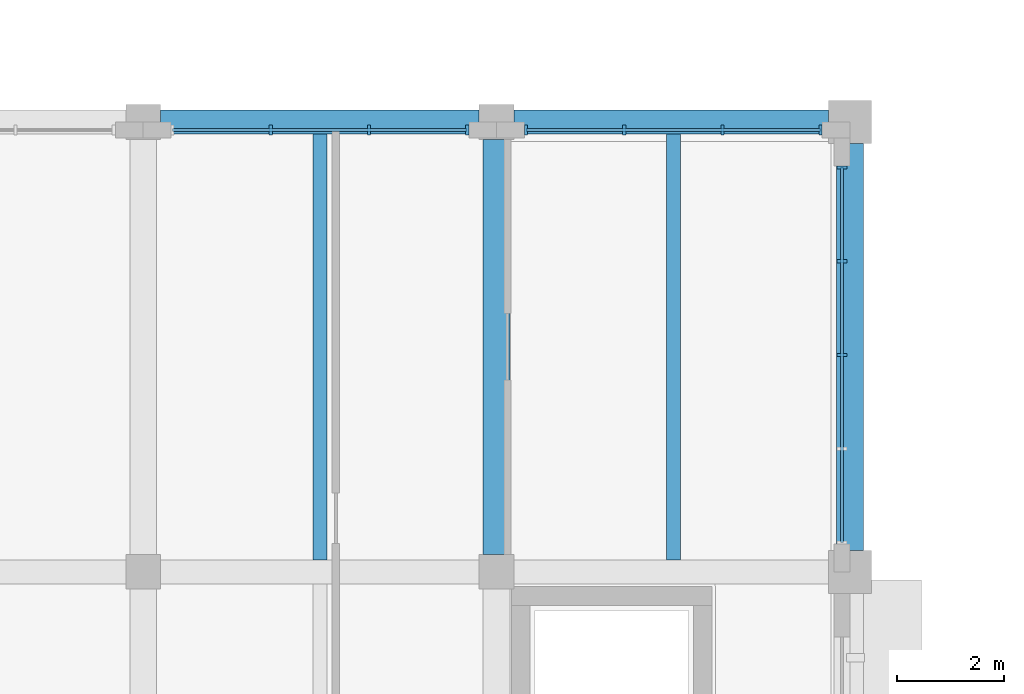
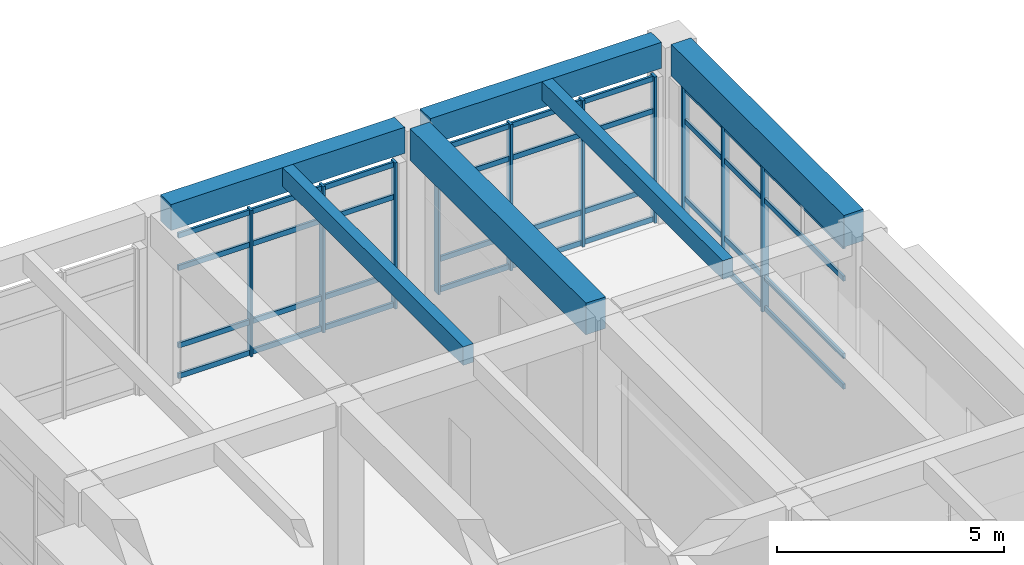
# One storey, part 32 of 79: 22 members, 6 beams, 3 elements without a shape of their own.
"""IFC4 building model written with IfcOpenShell, lengths in metres."""

from ifc_helpers import new_model, si_unit, direction, frame, origin, origin_2d, place, context, subcontext, project, spatial, rectangle, extrude, material, layer, layer_set, material_profile, profile_set, type_object, element, aggregate, save


model = new_model("IFC4")

# Units and contexts
model_context = context("Model", 3, precision=1e-05, world=origin(), true_north=direction((0.0, 1.0)))
body_context = subcontext(model_context, "Body", "Model", "MODEL_VIEW")
ifc_project = project(units=[si_unit("LENGTHUNIT", "METRE"), si_unit("AREAUNIT", "SQUARE_METRE"), si_unit("VOLUMEUNIT", "CUBIC_METRE"), si_unit("PLANEANGLEUNIT", "RADIAN"), si_unit("MASSUNIT", "GRAM", prefix="KILO")], contexts=[model_context])

# Site, building, storey
site_placement = place(None, origin())
site = spatial("IfcSite", under=ifc_project, at=site_placement, CompositionType="ELEMENT")
building_placement = place(site_placement, origin())
building = spatial("IfcBuilding", under=site, at=building_placement, Name="Kolvaren Faculty of Natural Sciences", CompositionType="ELEMENT")
storey_placement = place(building_placement, frame((0.0, 0.0, 10.199951171875)))
storey = spatial("IfcBuildingStorey", under=building, at=storey_placement, Name="L02", CompositionType="ELEMENT", Elevation=10.199951171875)

# Curtain wall, members
ifc_material_1 = material(Name="Thermally broken anodised aluminium framing", Category="aluminium")
ifc_layer_1 = layer(ifc_material_1, 0.179931640625)
ifc_layer_set_1 = layer_set([ifc_layer_1], Name="Thermally broken anodised aluminium framing")
curtain_wall_type_1 = type_object("IfcCurtainWallType", Name="CommonsCurtainWall_CW02", PredefinedType="NOTDEFINED", material=ifc_layer_set_1)
curtain_wall_1_placement = place(storey_placement, origin())
curtain_wall_1 = element("IfcCurtainWall", 1, at=curtain_wall_1_placement, inside=storey, type_object=curtain_wall_type_1, Name="L02 unitised curtain wall CW-02 (CW-L02-093)", PredefinedType="NOTDEFINED")
ifc_material_profile_1 = material_profile(ifc_material_1, rectangle(XDim=0.06005859375, YDim=0.179931640625, at=origin_2d()), Name="ALU MUL 60x180")
ifc_profile_set_1 = profile_set([ifc_material_profile_1], Name="Thermally broken anodised aluminium framing")
member_type_1 = type_object("IfcMemberType", Name="CurtainMullion_60x180", PredefinedType="MULLION", material=ifc_profile_set_1)
member_1_placement = place(storey_placement, frame((127.9833984375, 109.25, 0.0), z_axis=(0.0, 0.0, 1.0), x_axis=(1.0, 0.0, 0.0)))
member_1 = element("IfcMember", 2, at=member_1_placement, type_object=member_type_1, Name="CW-L02-093 vertical mullion 2", PredefinedType="MULLION", context=body_context, shape_type="SweptSolid", body=[
    extrude(rectangle(XDim=0.06005859375, YDim=0.179931640625, at=origin_2d()), origin(), (0.0, 0.0, 1.0), 3.93505859375),
])
member_2_placement = place(storey_placement, frame((129.816650390625, 109.25, 0.0), z_axis=(0.0, 0.0, 1.0), x_axis=(1.0, 0.0, 0.0)))
member_2 = element("IfcMember", 3, at=member_2_placement, type_object=member_type_1, Name="CW-L02-093 vertical mullion 3", PredefinedType="MULLION", context=body_context, shape_type="SweptSolid", body=[
    extrude(rectangle(XDim=0.06005859375, YDim=0.179931640625, at=origin_2d()), origin(), (0.0, 0.0, 1.0), 3.93505859375),
])
member_3_placement = place(storey_placement, frame((131.64990234375, 109.25, 0.0), z_axis=(0.0, 0.0, 1.0), x_axis=(1.0, 0.0, 0.0)))
member_3 = element("IfcMember", 4, at=member_3_placement, type_object=member_type_1, Name="CW-L02-093 vertical mullion 4", PredefinedType="MULLION", context=body_context, shape_type="SweptSolid", body=[
    extrude(rectangle(XDim=0.06005859375, YDim=0.179931640625, at=origin_2d()), origin(), (0.0, 0.0, 1.0), 3.93505859375),
])

curtain_wall_2_placement = place(storey_placement, origin())
curtain_wall_2 = element("IfcCurtainWall", 5, at=curtain_wall_2_placement, inside=storey, type_object=curtain_wall_type_1, Name="L02 unitised curtain wall CW-02 (CW-L02-094)", PredefinedType="NOTDEFINED")
member_4_placement = place(storey_placement, frame((132.75, 109.25, 0.0), z_axis=(0.0, 0.0, 1.0), x_axis=(1.0, 0.0, 0.0)))
member_4 = element("IfcMember", 6, at=member_4_placement, type_object=member_type_1, Name="CW-L02-094 vertical mullion 1", PredefinedType="MULLION", context=body_context, shape_type="SweptSolid", body=[
    extrude(rectangle(XDim=0.06005859375, YDim=0.179931640625, at=origin_2d()), origin(), (0.0, 0.0, 1.0), 3.93505859375),
])
member_5_placement = place(storey_placement, frame((134.583251953125, 109.25, 0.0), z_axis=(0.0, 0.0, 1.0), x_axis=(1.0, 0.0, 0.0)))
member_5 = element("IfcMember", 7, at=member_5_placement, type_object=member_type_1, Name="CW-L02-094 vertical mullion 2", PredefinedType="MULLION", context=body_context, shape_type="SweptSolid", body=[
    extrude(rectangle(XDim=0.06005859375, YDim=0.179931640625, at=origin_2d()), origin(), (0.0, 0.0, 1.0), 3.93505859375),
])
member_6_placement = place(storey_placement, frame((136.416748046875, 109.25, 0.0), z_axis=(0.0, 0.0, 1.0), x_axis=(1.0, 0.0, 0.0)))
member_6 = element("IfcMember", 8, at=member_6_placement, type_object=member_type_1, Name="CW-L02-094 vertical mullion 3", PredefinedType="MULLION", context=body_context, shape_type="SweptSolid", body=[
    extrude(rectangle(XDim=0.06005859375, YDim=0.179931640625, at=origin_2d()), origin(), (0.0, 0.0, 1.0), 3.93505859375),
])
member_7_placement = place(storey_placement, frame((138.25, 109.25, 0.0), z_axis=(0.0, 0.0, 1.0), x_axis=(1.0, 0.0, 0.0)))
member_7 = element("IfcMember", 9, at=member_7_placement, type_object=member_type_1, Name="CW-L02-094 vertical mullion 4", PredefinedType="MULLION", context=body_context, shape_type="SweptSolid", body=[
    extrude(rectangle(XDim=0.06005859375, YDim=0.179931640625, at=origin_2d()), origin(), (0.0, 0.0, 1.0), 3.93505859375),
])

ifc_layer_2 = layer(ifc_material_1, 0.179931640625)
ifc_layer_set_2 = layer_set([ifc_layer_2], Name="Thermally broken anodised aluminium framing")
curtain_wall_type_2 = type_object("IfcCurtainWallType", Name="TowerNorthCurtainWall_CW03", PredefinedType="NOTDEFINED", material=ifc_layer_set_2)
curtain_wall_3_placement = place(storey_placement, origin())
curtain_wall_3 = element("IfcCurtainWall", 10, at=curtain_wall_3_placement, inside=storey, type_object=curtain_wall_type_2, Name="L02 unitised curtain wall CW-03 (CW-L02-095)", PredefinedType="NOTDEFINED")
member_8_placement = place(storey_placement, frame((138.64990234375, 108.550048828125, 0.0), z_axis=(0.0, 0.0, 1.0), x_axis=(0.0, -1.0, 0.0)))
member_8 = element("IfcMember", 11, at=member_8_placement, type_object=member_type_1, Name="CW-L02-095 vertical mullion 1", PredefinedType="MULLION", context=body_context, shape_type="SweptSolid", body=[
    extrude(rectangle(XDim=0.06005859375, YDim=0.179931640625, at=origin_2d()), origin(), (0.0, 0.0, 1.0), 3.93505859375),
])
member_9_placement = place(storey_placement, frame((138.64990234375, 106.800048828125, 0.0), z_axis=(0.0, 0.0, 1.0), x_axis=(0.0, -1.0, 0.0)))
member_9 = element("IfcMember", 12, at=member_9_placement, type_object=member_type_1, Name="CW-L02-095 vertical mullion 2", PredefinedType="MULLION", context=body_context, shape_type="SweptSolid", body=[
    extrude(rectangle(XDim=0.06005859375, YDim=0.179931640625, at=origin_2d()), origin(), (0.0, 0.0, 1.0), 3.93505859375),
])
member_10_placement = place(storey_placement, frame((138.64990234375, 105.050048828125, 0.0), z_axis=(0.0, 0.0, 1.0), x_axis=(0.0, -1.0, 0.0)))
member_10 = element("IfcMember", 13, at=member_10_placement, type_object=member_type_1, Name="CW-L02-095 vertical mullion 3", PredefinedType="MULLION", context=body_context, shape_type="SweptSolid", body=[
    extrude(rectangle(XDim=0.06005859375, YDim=0.179931640625, at=origin_2d()), origin(), (0.0, 0.0, 1.0), 3.93505859375),
])

# Member
ifc_material_profile_2 = material_profile(ifc_material_1, rectangle(XDim=0.06005859375, YDim=0.139892578125, at=origin_2d()), Name="ALU TRN 60x140")
ifc_profile_set_2 = profile_set([ifc_material_profile_2], Name="Thermally broken anodised aluminium framing")
member_type_2 = type_object("IfcMemberType", Name="CurtainTransom_60x140", PredefinedType="USERDEFINED", material=ifc_profile_set_2)
member_11_placement = place(storey_placement, frame((126.14990234375, 109.25, 0.080078125), z_axis=(1.0, 0.0, 0.0), x_axis=(0.0, 1.0, 0.0)))
member_11 = element("IfcMember", 14, at=member_11_placement, type_object=member_type_2, Name="CW-L02-093 horizontal transom 1", ObjectType="TRANSOM", PredefinedType="USERDEFINED", context=body_context, shape_type="SweptSolid", body=[
    extrude(rectangle(XDim=0.06005859375, YDim=0.139892578125, at=origin_2d()), origin(), (0.0, 0.0, 1.0), 5.5),
])

member_12_placement = place(storey_placement, frame((126.14990234375, 109.25, 0.900146484375), z_axis=(1.0, 0.0, 0.0), x_axis=(0.0, 1.0, 0.0)))
member_12 = element("IfcMember", 15, at=member_12_placement, type_object=member_type_2, Name="CW-L02-093 horizontal transom 2", ObjectType="TRANSOM", PredefinedType="USERDEFINED", context=body_context, shape_type="SweptSolid", body=[
    extrude(rectangle(XDim=0.06005859375, YDim=0.139892578125, at=origin_2d()), origin(), (0.0, 0.0, 1.0), 5.5),
])

member_13_placement = place(storey_placement, frame((126.14990234375, 109.25, 2.985107421875), z_axis=(1.0, 0.0, 0.0), x_axis=(0.0, 1.0, 0.0)))
member_13 = element("IfcMember", 16, at=member_13_placement, type_object=member_type_2, Name="CW-L02-093 horizontal transom 3", ObjectType="TRANSOM", PredefinedType="USERDEFINED", context=body_context, shape_type="SweptSolid", body=[
    extrude(rectangle(XDim=0.06005859375, YDim=0.139892578125, at=origin_2d()), origin(), (0.0, 0.0, 1.0), 5.5),
])

member_14_placement = place(storey_placement, frame((126.14990234375, 109.25, 3.85498046875), z_axis=(1.0, 0.0, 0.0), x_axis=(0.0, 1.0, 0.0)))
member_14 = element("IfcMember", 17, at=member_14_placement, type_object=member_type_2, Name="CW-L02-093 horizontal transom 4", ObjectType="TRANSOM", PredefinedType="USERDEFINED", context=body_context, shape_type="SweptSolid", body=[
    extrude(rectangle(XDim=0.06005859375, YDim=0.139892578125, at=origin_2d()), origin(), (0.0, 0.0, 1.0), 5.5),
])

aggregate(curtain_wall_1, [member_1, member_2, member_3, member_11, member_12, member_13, member_14])

member_15_placement = place(storey_placement, frame((132.75, 109.25, 0.080078125), z_axis=(1.0, 0.0, 0.0), x_axis=(0.0, 1.0, 0.0)))
member_15 = element("IfcMember", 18, at=member_15_placement, type_object=member_type_2, Name="CW-L02-094 horizontal transom 1", ObjectType="TRANSOM", PredefinedType="USERDEFINED", context=body_context, shape_type="SweptSolid", body=[
    extrude(rectangle(XDim=0.06005859375, YDim=0.139892578125, at=origin_2d()), origin(), (0.0, 0.0, 1.0), 5.5),
])

member_16_placement = place(storey_placement, frame((132.75, 109.25, 0.900146484375), z_axis=(1.0, 0.0, 0.0), x_axis=(0.0, 1.0, 0.0)))
member_16 = element("IfcMember", 19, at=member_16_placement, type_object=member_type_2, Name="CW-L02-094 horizontal transom 2", ObjectType="TRANSOM", PredefinedType="USERDEFINED", context=body_context, shape_type="SweptSolid", body=[
    extrude(rectangle(XDim=0.06005859375, YDim=0.139892578125, at=origin_2d()), origin(), (0.0, 0.0, 1.0), 5.5),
])

member_17_placement = place(storey_placement, frame((132.75, 109.25, 2.985107421875), z_axis=(1.0, 0.0, 0.0), x_axis=(0.0, 1.0, 0.0)))
member_17 = element("IfcMember", 20, at=member_17_placement, type_object=member_type_2, Name="CW-L02-094 horizontal transom 3", ObjectType="TRANSOM", PredefinedType="USERDEFINED", context=body_context, shape_type="SweptSolid", body=[
    extrude(rectangle(XDim=0.06005859375, YDim=0.139892578125, at=origin_2d()), origin(), (0.0, 0.0, 1.0), 5.5),
])

member_18_placement = place(storey_placement, frame((132.75, 109.25, 3.85498046875), z_axis=(1.0, 0.0, 0.0), x_axis=(0.0, 1.0, 0.0)))
member_18 = element("IfcMember", 21, at=member_18_placement, type_object=member_type_2, Name="CW-L02-094 horizontal transom 4", ObjectType="TRANSOM", PredefinedType="USERDEFINED", context=body_context, shape_type="SweptSolid", body=[
    extrude(rectangle(XDim=0.06005859375, YDim=0.139892578125, at=origin_2d()), origin(), (0.0, 0.0, 1.0), 5.5),
])

aggregate(curtain_wall_2, [member_4, member_5, member_6, member_7, member_15, member_16, member_17, member_18])

member_19_placement = place(storey_placement, frame((138.64990234375, 108.550048828125, 0.080078125), z_axis=(0.0, -1.0, 0.0), x_axis=(1.0, 0.0, 0.0)))
member_19 = element("IfcMember", 22, at=member_19_placement, type_object=member_type_2, Name="CW-L02-095 horizontal transom 1", ObjectType="TRANSOM", PredefinedType="USERDEFINED", context=body_context, shape_type="SweptSolid", body=[
    extrude(rectangle(XDim=0.06005859375, YDim=0.139892578125, at=origin_2d()), origin(), (0.0, 0.0, 1.0), 7.0),
])

member_20_placement = place(storey_placement, frame((138.64990234375, 108.550048828125, 0.900146484375), z_axis=(0.0, -1.0, 0.0), x_axis=(1.0, 0.0, 0.0)))
member_20 = element("IfcMember", 23, at=member_20_placement, type_object=member_type_2, Name="CW-L02-095 horizontal transom 2", ObjectType="TRANSOM", PredefinedType="USERDEFINED", context=body_context, shape_type="SweptSolid", body=[
    extrude(rectangle(XDim=0.06005859375, YDim=0.139892578125, at=origin_2d()), origin(), (0.0, 0.0, 1.0), 7.0),
])

member_21_placement = place(storey_placement, frame((138.64990234375, 108.550048828125, 2.985107421875), z_axis=(0.0, -1.0, 0.0), x_axis=(1.0, 0.0, 0.0)))
member_21 = element("IfcMember", 24, at=member_21_placement, type_object=member_type_2, Name="CW-L02-095 horizontal transom 3", ObjectType="TRANSOM", PredefinedType="USERDEFINED", context=body_context, shape_type="SweptSolid", body=[
    extrude(rectangle(XDim=0.06005859375, YDim=0.139892578125, at=origin_2d()), origin(), (0.0, 0.0, 1.0), 7.0),
])

member_22_placement = place(storey_placement, frame((138.64990234375, 108.550048828125, 3.85498046875), z_axis=(0.0, -1.0, 0.0), x_axis=(1.0, 0.0, 0.0)))
member_22 = element("IfcMember", 25, at=member_22_placement, type_object=member_type_2, Name="CW-L02-095 horizontal transom 4", ObjectType="TRANSOM", PredefinedType="USERDEFINED", context=body_context, shape_type="SweptSolid", body=[
    extrude(rectangle(XDim=0.06005859375, YDim=0.139892578125, at=origin_2d()), origin(), (0.0, 0.0, 1.0), 7.0),
])

aggregate(curtain_wall_3, [member_8, member_9, member_10, member_19, member_20, member_21, member_22])

# Beams
ifc_material_2 = material(Name="Concrete C35/45", Category="concrete")
ifc_material_profile_3 = material_profile(ifc_material_2, rectangle(XDim=0.260009765625, YDim=0.5, at=origin_2d()), Name="RC JST 260x500")
ifc_profile_set_3 = profile_set([ifc_material_profile_3], Name="Concrete C35/45")
beam_type_1 = type_object("IfcBeamType", Name="LabRibJoist_260x500", PredefinedType="JOIST", material=ifc_profile_set_3)
for number, where, z_axis, x_axis, name in (
    (26, (128.89990234375, 101.22509765625, 4.550048828125), (0.0, 1.0, 0.0), (-1.0, 0.0, 0.0), "L02 ribbed laboratory slab joist JS-50"),
    (27, (135.5, 101.22509765625, 4.550048828125), (0.0, 1.0, 0.0), (-1.0, 0.0, 0.0), "L02 ribbed laboratory slab joist JS-50"),
):
    element("IfcBeam", number, at=place(storey_placement, frame(where, z_axis=z_axis, x_axis=x_axis)), inside=storey, type_object=beam_type_1, Name=name, PredefinedType="JOIST", context=body_context, shape_type="SweptSolid", body=[
        extrude(rectangle(XDim=0.260009765625, YDim=0.5, at=origin_2d()), origin(), (0.0, 0.0, 1.0), 7.949951171875),
    ])
ifc_material_profile_4 = material_profile(ifc_material_2, rectangle(XDim=0.449951171875, YDim=0.699951171875, at=origin_2d()), Name="RC SP 450x700")
ifc_profile_set_4 = profile_set([ifc_material_profile_4], Name="Concrete C35/45")
beam_type_2 = type_object("IfcBeamType", Name="PerimeterSpandrel_450x700", PredefinedType="SPANDREL", material=ifc_profile_set_4)
beam_1_placement = place(storey_placement, frame((125.925048828125, 109.39990234375, 4.449951171875), z_axis=(1.0, 0.0, 0.0), x_axis=(0.0, 1.0, 0.0)))
element("IfcBeam", 28, at=beam_1_placement, inside=storey, type_object=beam_type_2, Name="L02 spandrel SP-70 on grid P", PredefinedType="SPANDREL", context=body_context, shape_type="SweptSolid", body=[
    extrude(rectangle(XDim=0.449951171875, YDim=0.699951171875, at=origin_2d()), origin(), (0.0, 0.0, 1.0), 5.949951171875),
])
beam_2_placement = place(storey_placement, frame((132.52490234375, 109.39990234375, 4.449951171875), z_axis=(1.0, 0.0, 0.0), x_axis=(0.0, 1.0, 0.0)))
element("IfcBeam", 29, at=beam_2_placement, inside=storey, type_object=beam_type_2, Name="L02 spandrel SP-70 on grid P", PredefinedType="SPANDREL", context=body_context, shape_type="SweptSolid", body=[
    extrude(rectangle(XDim=0.449951171875, YDim=0.699951171875, at=origin_2d()), origin(), (0.0, 0.0, 1.0), 5.875),
])
ifc_material_profile_5 = material_profile(ifc_material_2, rectangle(XDim=0.5, YDim=0.85009765625, at=origin_2d()), Name="RC BM 500x850")
ifc_profile_set_5 = profile_set([ifc_material_profile_5], Name="Concrete C35/45")
beam_type_3 = type_object("IfcBeamType", Name="PrimaryGirder_500x850", PredefinedType="BEAM", material=ifc_profile_set_5)
beam_3_placement = place(storey_placement, frame((132.199951171875, 101.324951171875, 4.375), z_axis=(0.0, 1.0, 0.0), x_axis=(-1.0, 0.0, 0.0)))
element("IfcBeam", 30, at=beam_3_placement, inside=storey, type_object=beam_type_3, Name="L02 girder BG-85 on grid 21", PredefinedType="BEAM", context=body_context, shape_type="SweptSolid", body=[
    extrude(rectangle(XDim=0.5, YDim=0.85009765625, at=origin_2d()), origin(), (0.0, 0.0, 1.0), 7.75),
])
beam_4_placement = place(storey_placement, frame((138.800048828125, 101.39990234375, 4.375), z_axis=(0.0, 1.0, 0.0), x_axis=(-1.0, 0.0, 0.0)))
element("IfcBeam", 31, at=beam_4_placement, inside=storey, type_object=beam_type_3, Name="L02 girder BG-85 on grid 22", PredefinedType="BEAM", context=body_context, shape_type="SweptSolid", body=[
    extrude(rectangle(XDim=0.5, YDim=0.85009765625, at=origin_2d()), origin(), (0.0, 0.0, 1.0), 7.60009765625),
])

save(model, "model.ifc")
